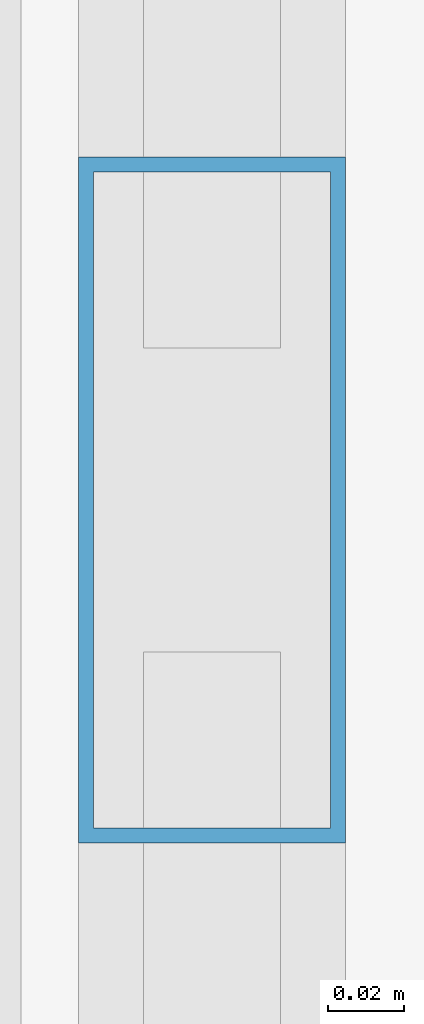
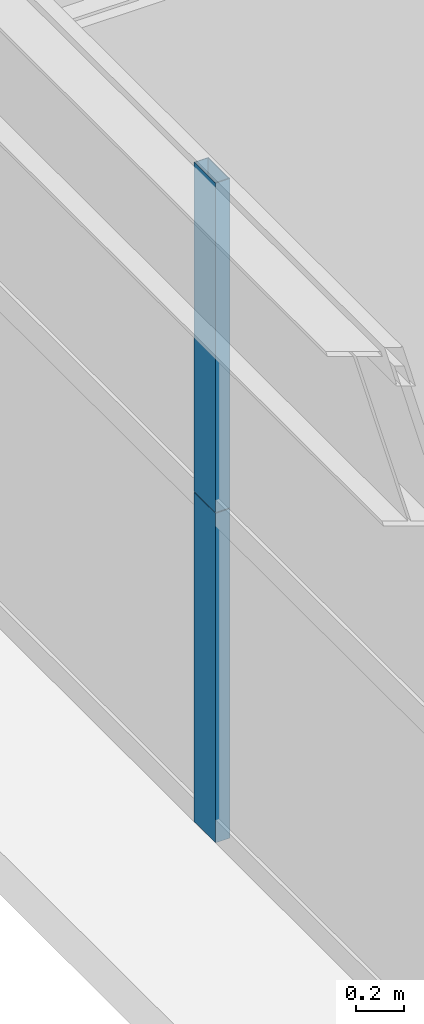
# One storey, part 11 of 41: 2 members, 1 element without a shape of its own.
"""IFC4 building model written with IfcOpenShell, lengths in metres."""

from ifc_helpers import new_model, si_unit, direction, frame, origin, origin_2d, place, context, subcontext, project, spatial, hollow_rectangle, extrude, source, transform, mapped, material, layer, layer_set, material_profile, profile_set, type_object, element, aggregate, save


model = new_model("IFC4")

# Units and contexts
model_context = context("Model", 3, precision=1e-05, world=origin(), true_north=direction((0.0, 1.0)))
body_context = subcontext(model_context, "Body", "Model", "MODEL_VIEW")
ifc_project = project(units=[si_unit("LENGTHUNIT", "METRE"), si_unit("AREAUNIT", "SQUARE_METRE"), si_unit("VOLUMEUNIT", "CUBIC_METRE"), si_unit("PLANEANGLEUNIT", "RADIAN"), si_unit("MASSUNIT", "GRAM", prefix="KILO"), si_unit("THERMODYNAMICTEMPERATUREUNIT", "KELVIN"), si_unit("POWERUNIT", "WATT")], contexts=[model_context])

# Site, building, storey
site_placement = place(None, origin())
site = spatial("IfcSite", under=ifc_project, at=site_placement, CompositionType="ELEMENT")
building_placement = place(site_placement, origin())
building = spatial("IfcBuilding", under=site, at=building_placement, Name="Yuzanri Waterfront Tower", CompositionType="ELEMENT")
storey_placement = place(building_placement, frame((0.0, 0.0, 152.39990234375)))
storey = spatial("IfcBuildingStorey", under=building, at=storey_placement, Name="L40", CompositionType="ELEMENT", Elevation=152.39990234375)

# Curtain wall, members
ifc_material_1 = material(Name="Anodized Architectural Bronze", Category="metal")
ifc_layer = layer(ifc_material_1, 0.159912109375)
ifc_layer_set = layer_set([ifc_layer], Name="Anodized Architectural Bronze")
curtain_wall_type = type_object("IfcCurtainWallType", Name="Anodized Bronze Hotel Upper-Tier Solar-Control Unitized Curtain Wall 7800", PredefinedType="NOTDEFINED", material=ifc_layer_set)
curtain_wall_placement = place(storey_placement, origin())
curtain_wall = element("IfcCurtainWall", 1, at=curtain_wall_placement, inside=storey, type_object=curtain_wall_type, Name="L40 Curtain Wall CW-L40-WL", PredefinedType="NOTDEFINED")
ifc_material_2 = material(Name="Anodized Architectural Bronze", Category="metal")
ifc_material_profile = material_profile(ifc_material_2, hollow_rectangle(XDim=0.070068359375, YDim=0.179931640625, WallThickness=0.00390625, at=origin_2d()), Name="CWM 70x180")
ifc_profile_set = profile_set([ifc_material_profile], Name="Anodized Architectural Bronze")
member_type = type_object("IfcMemberType", Name="Anodized Bronze Standard Curtain-Wall Mullion 70x180", PredefinedType="MULLION", material=ifc_profile_set)
shared_shape = source(origin(), body_context, "Body", "SweptSolid", [
    extrude(hollow_rectangle(XDim=0.070068359375, YDim=0.179931640625, WallThickness=0.00390625, at=origin_2d()), origin(), (0.0, 0.0, 1.0), 1.68798828125),
])
member_1_placement = place(storey_placement, frame((13.550048828125, 17.449951171875, 0.0), z_axis=(0.0, 0.0, 1.0), x_axis=(1.0, 0.0, 0.0)))
member_1 = element("IfcMember", 2, at=member_1_placement, type_object=member_type, Name="CW-L40-WL Lower Mullion 01", PredefinedType="MULLION", context=body_context, shape_type="MappedRepresentation", body=[
    mapped(shared_shape, transform((0.0, 0.0, 0.0), scale=1.0)),
])
member_2_placement = place(storey_placement, frame((13.550048828125, 17.449951171875, 1.692138671875), z_axis=(0.0, 0.0, 1.0), x_axis=(1.0, 0.0, 0.0)))
member_2 = element("IfcMember", 3, at=member_2_placement, type_object=member_type, Name="CW-L40-WL Upper Mullion 01", PredefinedType="MULLION", context=body_context, shape_type="MappedRepresentation", body=[
    mapped(shared_shape, transform((0.0, 0.0, 0.0), scale=1.0)),
])
aggregate(curtain_wall, [member_1, member_2])

save(model, "model.ifc")
